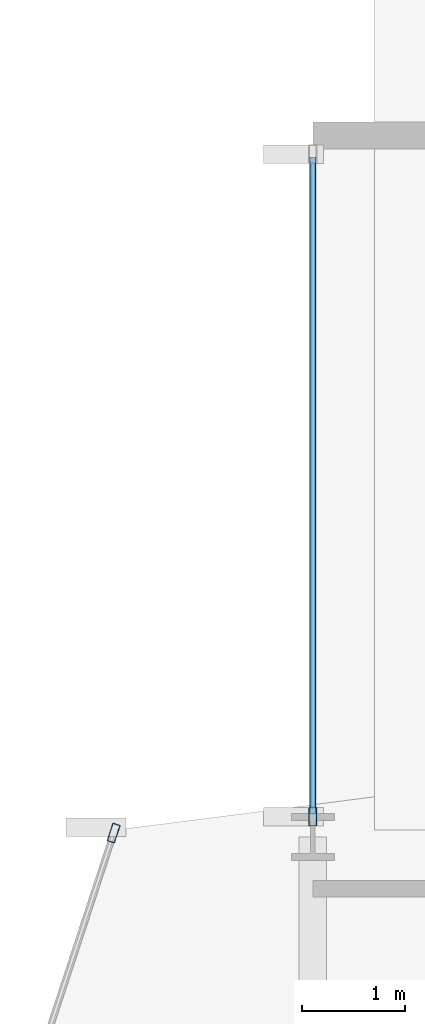
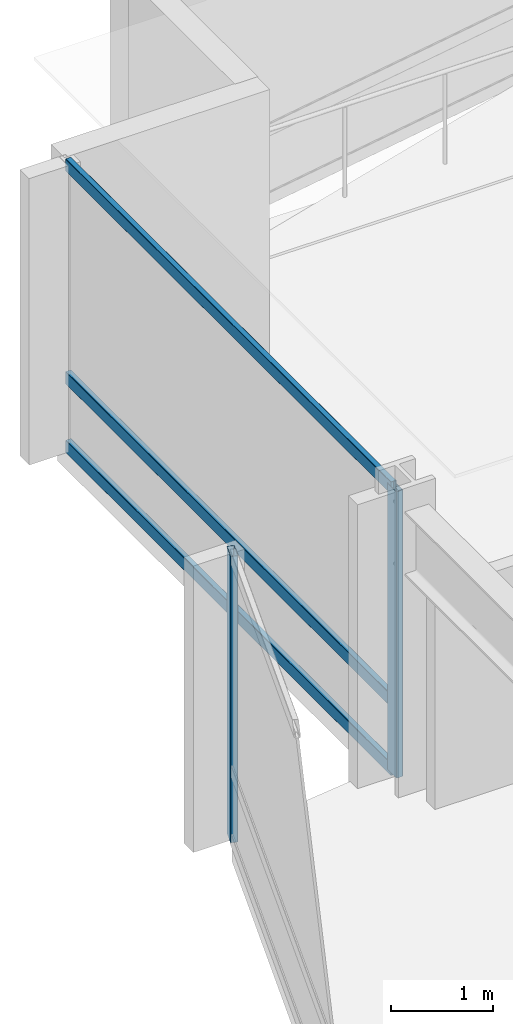
# One storey, part 16 of 29: 5 members, 2 elements without a shape of their own.
"""IFC4 building model written with IfcOpenShell, lengths in metres."""

from ifc_helpers import new_model, si_unit, direction, frame, origin, origin_2d, place, context, subcontext, project, spatial, hollow_rectangle, extrude, material, layer, layer_set, material_profile, profile_set, type_object, element, aggregate, save


model = new_model("IFC4")

# Units and contexts
model_context = context("Model", 3, precision=1e-05, world=origin(), true_north=direction((0.0, 1.0)))
body_context = subcontext(model_context, "Body", "Model", "MODEL_VIEW")
ifc_project = project(units=[si_unit("LENGTHUNIT", "METRE"), si_unit("AREAUNIT", "SQUARE_METRE"), si_unit("VOLUMEUNIT", "CUBIC_METRE"), si_unit("PLANEANGLEUNIT", "RADIAN"), si_unit("MASSUNIT", "GRAM", prefix="KILO")], contexts=[model_context])

# Site, building, storey
site_placement = place(None, origin())
site = spatial("IfcSite", under=ifc_project, at=site_placement, CompositionType="ELEMENT")
building_placement = place(site_placement, origin())
building = spatial("IfcBuilding", under=site, at=building_placement, Name="Solvaryn Broadcast Tower", CompositionType="ELEMENT")
storey_placement = place(building_placement, frame((0.0, 0.0, 113.699951171875)))
storey = spatial("IfcBuildingStorey", under=building, at=storey_placement, Name="L27", CompositionType="ELEMENT", Elevation=113.699951171875)

# Curtain wall, member
ifc_material_1 = material(Name="Aluminium and Terracotta Unitised Curtain Wall", Category="masonry")
ifc_layer = layer(ifc_material_1, 0.199951171875)
ifc_layer_set = layer_set([ifc_layer], Name="CW-SYS2-LOWMID")
curtain_wall_type = type_object("IfcCurtainWallType", Name="CW-SYS2-LOWMID", PredefinedType="NOTDEFINED", material=ifc_layer_set)
curtain_wall_1_placement = place(storey_placement, origin())
curtain_wall_1 = element("IfcCurtainWall", 1, at=curtain_wall_1_placement, inside=storey, type_object=curtain_wall_type, Name="L27 Curtain Wall DR1", PredefinedType="NOTDEFINED")
ifc_material_2 = material(Name="Anodised Aluminium 6063-T6", Category="aluminium")
ifc_material_profile_1 = material_profile(ifc_material_2, hollow_rectangle(XDim=0.074951171875, YDim=0.179931640625, WallThickness=0.00390625, InnerFilletRadius=0.00390625, OuterFilletRadius=0.008056640625, at=origin_2d()))
ifc_profile_set_1 = profile_set([ifc_material_profile_1], Name="Anodised Aluminium 6063-T6")
member_type_1 = type_object("IfcMemberType", Name="CW-MUL-180", PredefinedType="MULLION", material=ifc_profile_set_1)
member_1_placement = place(storey_placement, frame((7.069580078125, 45.03857421875, 0.0), z_axis=(0.0, 0.0, 1.0), x_axis=(0.950198260794, -0.311646057547, 0.0)))
member_1 = element("IfcMember", 2, at=member_1_placement, type_object=member_type_1, Name="CWS2 mullion 1", PredefinedType="MULLION", context=body_context, shape_type="SweptSolid", body=[
    extrude(hollow_rectangle(XDim=0.074951171875, YDim=0.179931640625, WallThickness=0.00390625, InnerFilletRadius=0.00390625, OuterFilletRadius=0.008056640625, at=origin_2d()), origin(), (0.0, 0.0, 1.0), 3.420166015625),
])
aggregate(curtain_wall_1, [member_1])

# Curtain wall, members
curtain_wall_2_placement = place(storey_placement, origin())
curtain_wall_2 = element("IfcCurtainWall", 3, at=curtain_wall_2_placement, inside=storey, type_object=curtain_wall_type, Name="L27 Curtain Wall W2", PredefinedType="NOTDEFINED")
member_2_placement = place(storey_placement, frame((9.0, 45.197021484375, 0.0), z_axis=(0.0, 0.0, 1.0), x_axis=(-1.0, 0.0, 0.0)))
member_2 = element("IfcMember", 4, at=member_2_placement, type_object=member_type_1, Name="CWS2 mullion 1", PredefinedType="MULLION", context=body_context, shape_type="SweptSolid", body=[
    extrude(hollow_rectangle(XDim=0.074951171875, YDim=0.179931640625, WallThickness=0.00390625, InnerFilletRadius=0.00390625, OuterFilletRadius=0.008056640625, at=origin_2d()), origin(), (0.0, 0.0, 1.0), 3.420166015625),
])
ifc_material_3 = material(Name="Anodised Aluminium 6063-T6", Category="aluminium")
ifc_material_profile_2 = material_profile(ifc_material_3, hollow_rectangle(XDim=0.06494140625, YDim=0.14990234375, WallThickness=0.00390625, InnerFilletRadius=0.00390625, OuterFilletRadius=0.008056640625, at=origin_2d()))
ifc_profile_set_2 = profile_set([ifc_material_profile_2], Name="Anodised Aluminium 6063-T6")
member_type_2 = type_object("IfcMemberType", Name="CW-TRN-150", PredefinedType="USERDEFINED", material=ifc_profile_set_2)
member_3_placement = place(storey_placement, frame((9.0, 45.22705078125, 0.030029296875), z_axis=(0.0, 1.0, 0.0), x_axis=(-1.0, 0.0, 0.0)))
member_3 = element("IfcMember", 5, at=member_3_placement, type_object=member_type_2, Name="CWS2 transom 1.1", ObjectType="TRANSOM", PredefinedType="USERDEFINED", context=body_context, shape_type="SweptSolid", body=[
    extrude(hollow_rectangle(XDim=0.06494140625, YDim=0.14990234375, WallThickness=0.00390625, InnerFilletRadius=0.00390625, OuterFilletRadius=0.008056640625, at=origin_2d()), origin(), (0.0, 0.0, 1.0), 6.363037109375),
])
member_4_placement = place(storey_placement, frame((9.0, 45.22705078125, 0.85009765625), z_axis=(0.0, 1.0, 0.0), x_axis=(-1.0, 0.0, 0.0)))
member_4 = element("IfcMember", 6, at=member_4_placement, type_object=member_type_2, Name="CWS2 transom 1.2", ObjectType="TRANSOM", PredefinedType="USERDEFINED", context=body_context, shape_type="SweptSolid", body=[
    extrude(hollow_rectangle(XDim=0.06494140625, YDim=0.14990234375, WallThickness=0.00390625, InnerFilletRadius=0.00390625, OuterFilletRadius=0.008056640625, at=origin_2d()), origin(), (0.0, 0.0, 1.0), 6.363037109375),
])
member_5_placement = place(storey_placement, frame((9.0, 45.22705078125, 3.39013671875), z_axis=(0.0, 1.0, 0.0), x_axis=(-1.0, 0.0, 0.0)))
member_5 = element("IfcMember", 7, at=member_5_placement, type_object=member_type_2, Name="CWS2 transom 1.3", ObjectType="TRANSOM", PredefinedType="USERDEFINED", context=body_context, shape_type="SweptSolid", body=[
    extrude(hollow_rectangle(XDim=0.06494140625, YDim=0.14990234375, WallThickness=0.00390625, InnerFilletRadius=0.00390625, OuterFilletRadius=0.008056640625, at=origin_2d()), origin(), (0.0, 0.0, 1.0), 6.363037109375),
])
aggregate(curtain_wall_2, [member_2, member_3, member_4, member_5])

save(model, "model.ifc")
